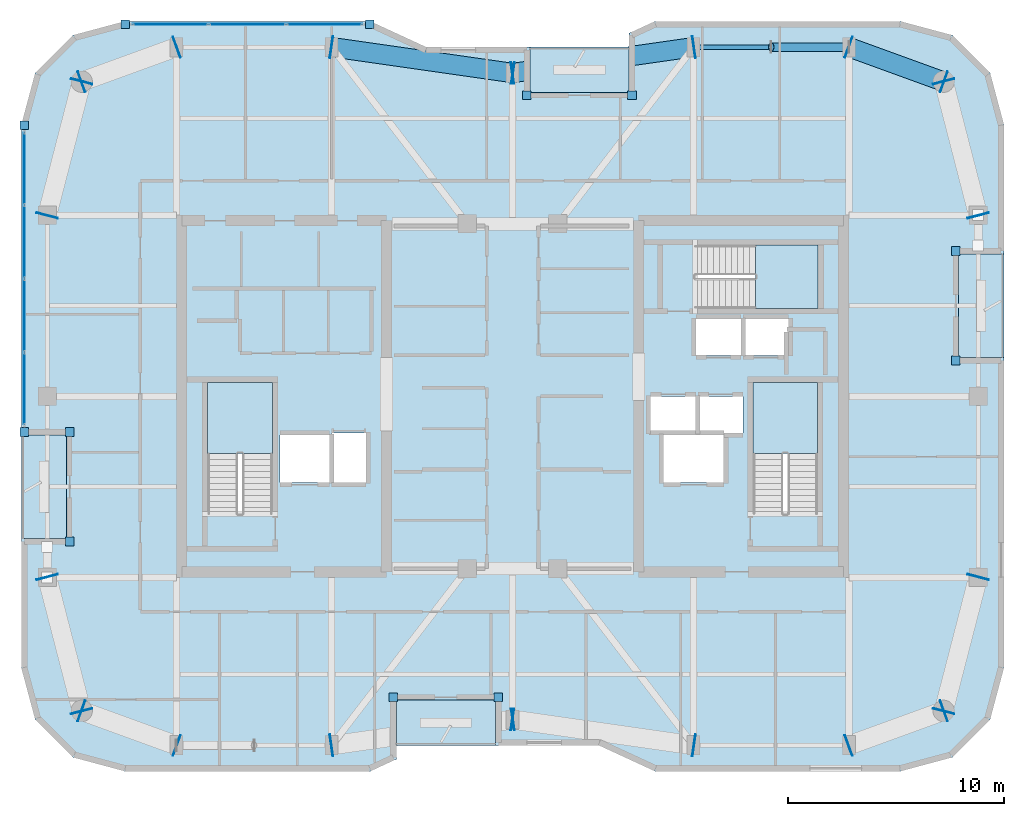
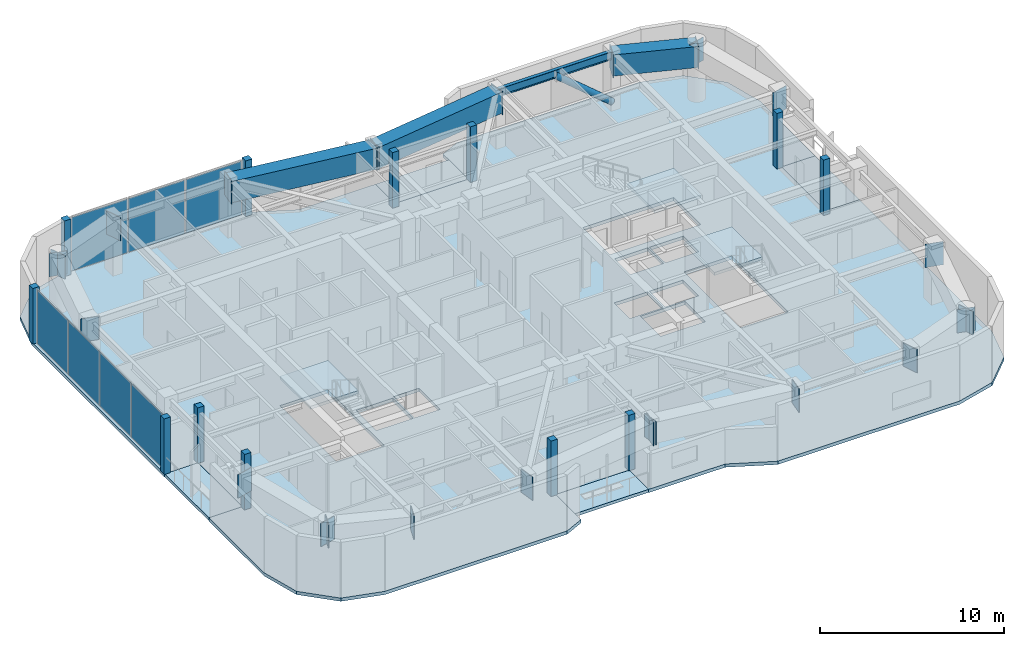
# One storey, part 7 of 16: 43 plates, 8 slabs, 4 beams, 1 member, 5 elements without a shape of their own.
"""IFC4 building model written with IfcOpenShell, lengths in metres."""

from ifc_helpers import new_model, si_unit, direction, frame, origin, origin_2d, place, context, subcontext, project, spatial, polyline, rectangle, hollow_rectangle, hollow_circle, i_section, outline, extrude, material, layer, layer_set, material_profile, profile_set, type_object, element, aggregate, save


model = new_model("IFC4")

# Units and contexts
model_context = context("Model", 3, precision=1e-05, world=origin(), true_north=direction((0.0, 1.0)))
body_context = subcontext(model_context, "Body", "Model", "MODEL_VIEW")
ifc_project = project(units=[si_unit("LENGTHUNIT", "METRE"), si_unit("AREAUNIT", "SQUARE_METRE"), si_unit("VOLUMEUNIT", "CUBIC_METRE"), si_unit("PLANEANGLEUNIT", "RADIAN"), si_unit("MASSUNIT", "GRAM", prefix="KILO")], contexts=[model_context])

# Site, building, storey
site_placement = place(None, origin())
site = spatial("IfcSite", under=ifc_project, at=site_placement, CompositionType="ELEMENT")
building_placement = place(site_placement, origin())
building = spatial("IfcBuilding", under=site, at=building_placement, Name="Kiyonajd Concourse Tower", CompositionType="ELEMENT")
storey_placement = place(building_placement, frame((0.0, 0.0, 310.199951171875)))
storey = spatial("IfcBuildingStorey", under=building, at=storey_placement, Name="L78", CompositionType="ELEMENT", Elevation=310.199951171875)

# Beams
ifc_material_1 = material(Name="Steel ASTM A992 Grade 50", Category="steel")
ifc_material_profile_1 = material_profile(ifc_material_1, i_section(OverallWidth=0.2109375, OverallDepth=0.5390625, WebThickness=0.01171875, FlangeThickness=0.018798828125, at=origin_2d()), Name="W530X109")
ifc_profile_set_1 = profile_set([ifc_material_profile_1], Name="Steel ASTM A992 Grade 50")
beam_type_1 = type_object("IfcBeamType", Name="BM-SPAN-530B", PredefinedType="SPANDREL", material=ifc_profile_set_1)
beam_1_placement = place(storey_placement, frame((63.60009765625, 52.199951171875, 3.41064453125), z_axis=(-1.0, 0.0, 0.0), x_axis=(0.0, -1.0, 0.0)))
element("IfcBeam", 1, at=beam_1_placement, inside=storey, type_object=beam_type_1, Name="L78 Perimeter Bundled Tube Spandrel", PredefinedType="SPANDREL", context=body_context, shape_type="SweptSolid", body=[
    extrude(i_section(OverallWidth=0.2109375, OverallDepth=0.5390625, WebThickness=0.01171875, FlangeThickness=0.018798828125, at=origin_2d()), origin(), (0.0, 0.0, 1.0), 7.2001953125),
])
ifc_material_2 = material(Name="Steel ASTM A572 Grade 50", Category="steel")
ifc_material_profile_2 = material_profile(ifc_material_2, hollow_rectangle(XDim=0.89990234375, YDim=1.39990234375, WallThickness=0.070068359375, at=origin_2d()), Name="BOX-1400x900x70")
ifc_profile_set_2 = profile_set([ifc_material_profile_2], Name="Steel ASTM A572 Grade 50")
beam_type_2 = type_object("IfcBeamType", Name="BM-XFER-1400", PredefinedType="BEAM", material=ifc_profile_set_2)
beam_2_placement = place(storey_placement, frame((68.0, 50.60009765625, 2.97998046875), z_axis=(-0.939801036019, 0.341722127901, 0.0), x_axis=(-0.341722127901, -0.939801036019, 0.0)))
element("IfcBeam", 2, at=beam_2_placement, inside=storey, type_object=beam_type_2, Name="L78 Perimeter Bundled Tube Spandrel", PredefinedType="BEAM", context=body_context, shape_type="SweptSolid", body=[
    extrude(hollow_rectangle(XDim=0.89990234375, YDim=1.39990234375, WallThickness=0.070068359375, at=origin_2d()), origin(), (0.0, 0.0, 1.0), 4.681640625),
])
for number, where, z_axis, x_axis, name in (
    (3, (56.39990234375, 52.199951171875, 2.97998046875), (-0.989950069105, -0.141417328072, 0.0), (0.141417328072, -0.989950069105, 0.0), "L78 Perimeter Bundled Tube Spandrel"),
    (4, (48.0, 51.0, 2.97998046875), (-0.989950069105, 0.141417328072, 0.0), (-0.141417328072, -0.989950069105, 0.0), "L78 Perimeter Bundled Tube Spandrel"),
):
    element("IfcBeam", number, at=place(storey_placement, frame(where, z_axis=z_axis, x_axis=x_axis)), inside=storey, type_object=beam_type_2, Name=name, PredefinedType="BEAM", context=body_context, shape_type="SweptSolid", body=[
        extrude(hollow_rectangle(XDim=0.89990234375, YDim=1.39990234375, WallThickness=0.070068359375, at=origin_2d()), origin(), (0.0, 0.0, 1.0), 8.485107421875),
    ])

# Member
ifc_material_3 = material(Name="Steel ASTM A500 Grade C", Category="steel")
ifc_material_profile_3 = material_profile(ifc_material_3, hollow_circle(Radius=0.202880859375, WallThickness=0.01904296875, at=origin_2d()), Name="CHS-406x19")
ifc_profile_set_3 = profile_set([ifc_material_profile_3], Name="Steel ASTM A500 Grade C")
member_type = type_object("IfcMemberType", Name="MB-PB-HIGH", PredefinedType="BRACE", material=ifc_profile_set_3)
member_placement = place(storey_placement, frame((63.60009765625, 52.199951171875, 0.300048828125), z_axis=(-0.765082043761, 0.0, 0.643932811957), x_axis=(0.0, -1.0, 0.0)))
element("IfcMember", 5, at=member_placement, inside=storey, type_object=member_type, Name="L78 Upper Zone Hollow Tube Brace PBN", PredefinedType="BRACE", context=body_context, shape_type="SweptSolid", body=[
    extrude(hollow_circle(Radius=0.202880859375, WallThickness=0.01904296875, at=origin_2d()), origin(), (0.0, 0.0, 1.0), 4.70556640625),
])

# Plates
ifc_layer_1 = layer(ifc_material_2, 0.031982421875)
ifc_layer_set_1 = layer_set([ifc_layer_1], Name="Steel ASTM A572 Grade 50")
plate_type_1 = type_object("IfcPlateType", Name="PL-CAP-540", PredefinedType="USERDEFINED", material=ifc_layer_set_1)
for number, where, z_axis, x_axis, name in (
    (6, (26.397216796875, 27.610595703125, 2.2099609375), (0.0, 0.0, 1.0), (-0.249873048837, 0.968278606324, 0.0), "L78 Welded Box Girder End Cap"),
    (7, (28.002685546875, 21.389404296875, 2.2099609375), (0.0, 0.0, 1.0), (0.249873048837, -0.968278606324, 0.0), "L78 Welded Box Girder End Cap"),
    (8, (27.98974609375, 21.40380859375, 2.2099609375), (0.0, 0.0, 1.0), (-0.939811951086, 0.341692107891, 0.0), "L78 Welded Box Girder End Cap"),
    (9, (32.410400390625, 19.796142578125, 2.2099609375), (0.0, 0.0, 1.0), (0.939811951086, -0.341692107891, 0.0), "L78 Welded Box Girder End Cap"),
    (10, (39.589111328125, 19.79833984375, 2.2099609375), (0.0, 0.0, 1.0), (-0.989949746297, -0.141419587774, 0.0), "L78 Welded Box Girder End Cap"),
    (11, (48.010986328125, 21.001708984375, 2.2099609375), (0.0, 0.0, 1.0), (0.989949746297, 0.141419587774, 0.0), "L78 Welded Box Girder End Cap"),
    (12, (47.989013671875, 21.001708984375, 2.2099609375), (0.0, 0.0, 1.0), (-0.989949746297, 0.141419587774, 0.0), "L78 Welded Box Girder End Cap"),
    (13, (56.410888671875, 19.79833984375, 2.2099609375), (0.0, 0.0, 1.0), (0.989949746297, -0.141419587774, 0.0), "L78 Welded Box Girder End Cap"),
    (14, (63.589599609375, 19.796142578125, 2.2099609375), (0.0, 0.0, 1.0), (-0.939811951086, -0.341692107891, 0.0), "L78 Welded Box Girder End Cap"),
    (15, (68.01025390625, 21.40380859375, 2.2099609375), (0.0, 0.0, 1.0), (0.939811951086, 0.341692107891, 0.0), "L78 Welded Box Girder End Cap"),
    (16, (67.997314453125, 21.389404296875, 2.2099609375), (0.0, 0.0, 1.0), (-0.249873048837, -0.968278606324, 0.0), "L78 Welded Box Girder End Cap"),
    (17, (69.602783203125, 27.610595703125, 2.2099609375), (0.0, 0.0, 1.0), (0.249873048837, 0.968278606324, 0.0), "L78 Welded Box Girder End Cap"),
    (18, (69.602783203125, 44.389404296875, 2.2099609375), (0.0, 0.0, 1.0), (0.249873048837, -0.968278606324, 0.0), "L78 Welded Box Girder End Cap"),
    (19, (67.997314453125, 50.610595703125, 2.2099609375), (0.0, 0.0, 1.0), (-0.249873048837, 0.968278606324, 0.0), "L78 Welded Box Girder End Cap"),
    (20, (68.01025390625, 50.59619140625, 2.2099609375), (0.0, 0.0, 1.0), (0.939811951086, -0.341692107891, 0.0), "L78 Welded Box Girder End Cap"),
    (21, (63.589599609375, 52.203857421875, 2.2099609375), (0.0, 0.0, 1.0), (-0.939811951086, 0.341692107891, 0.0), "L78 Welded Box Girder End Cap"),
    (22, (56.410888671875, 52.20166015625, 2.2099609375), (0.0, 0.0, 1.0), (0.989949746297, 0.141419587774, 0.0), "L78 Welded Box Girder End Cap"),
    (23, (47.989013671875, 50.998291015625, 2.2099609375), (0.0, 0.0, 1.0), (-0.989949746297, -0.141419587774, 0.0), "L78 Welded Box Girder End Cap"),
    (24, (48.010986328125, 50.998291015625, 2.2099609375), (0.0, 0.0, 1.0), (0.989949746297, -0.141419587774, 0.0), "L78 Welded Box Girder End Cap"),
    (25, (39.589111328125, 52.20166015625, 2.2099609375), (0.0, 0.0, 1.0), (-0.989949746297, 0.141419587774, 0.0), "L78 Welded Box Girder End Cap"),
    (26, (32.410400390625, 52.203857421875, 2.2099609375), (0.0, 0.0, 1.0), (0.939811951086, 0.341692107891, 0.0), "L78 Welded Box Girder End Cap"),
    (27, (27.98974609375, 50.59619140625, 2.2099609375), (0.0, 0.0, 1.0), (-0.939811951086, -0.341692107891, 0.0), "L78 Welded Box Girder End Cap"),
    (28, (28.002685546875, 50.610595703125, 2.2099609375), (0.0, 0.0, 1.0), (0.249873048837, 0.968278606324, 0.0), "L78 Welded Box Girder End Cap"),
    (29, (26.397216796875, 44.389404296875, 2.2099609375), (0.0, 0.0, 1.0), (-0.249873048837, -0.968278606324, 0.0), "L78 Welded Box Girder End Cap"),
):
    element("IfcPlate", number, at=place(storey_placement, frame(where, z_axis=z_axis, x_axis=x_axis)), inside=storey, type_object=plate_type_1, Name=name, ObjectType="CAP PLATE", PredefinedType="USERDEFINED", context=body_context, shape_type="SweptSolid", body=[
        extrude(rectangle(XDim=0.035888671875, YDim=1.02001953125, at=origin_2d()), origin(), (0.0, 0.0, 1.0), 1.5400390625),
    ])

# Curtain wall, plates
ifc_material_4 = material(Name="Thermally Broken Anodised Aluminium", Category="aluminium")
ifc_layer_2 = layer(ifc_material_4, 0.179931640625)
ifc_layer_set_2 = layer_set([ifc_layer_2], Name="Thermally Broken Anodised Aluminium")
curtain_wall_type = type_object("IfcCurtainWallType", Name="CW-SYS-04", PredefinedType="NOTDEFINED", material=ifc_layer_set_2)
curtain_wall_1_placement = place(storey_placement, origin())
curtain_wall_1 = element("IfcCurtainWall", 30, at=curtain_wall_1_placement, inside=storey, type_object=curtain_wall_type, Name="L78 Unitised Curtain Wall CW4", PredefinedType="NOTDEFINED")
ifc_material_5 = material(Name="Double Low-E Insulated Glass", Category="glass")
ifc_layer_3 = layer(ifc_material_5, 0.033935546875)
ifc_layer_set_3 = layer_set([ifc_layer_3], Name="Double Low-E Insulated Glass")
plate_type_2 = type_object("IfcPlateType", Name="PL-CW-VIS34", PredefinedType="CURTAIN_PANEL", material=ifc_layer_set_3)
plate_1_placement = place(storey_placement, frame((25.340087890625, 36.35400390625, 0.06494140625), z_axis=(0.0, 0.0, 1.0), x_axis=(0.0, 1.0, 0.0)))
plate_1 = element("IfcPlate", 31, at=plate_1_placement, type_object=plate_type_2, Name="CW4 panel 1.1", PredefinedType="CURTAIN_PANEL", context=body_context, shape_type="SweptSolid", body=[
    extrude(rectangle(XDim=3.31787109375, YDim=0.033935546875, at=origin_2d()), origin(), (0.0, 0.0, 1.0), 3.550048828125),
])
plate_2_placement = place(storey_placement, frame((25.340087890625, 39.753173828125, 0.06494140625), z_axis=(0.0, 0.0, 1.0), x_axis=(0.0, 1.0, 0.0)))
plate_2 = element("IfcPlate", 32, at=plate_2_placement, type_object=plate_type_2, Name="CW4 panel 2.1", PredefinedType="CURTAIN_PANEL", context=body_context, shape_type="SweptSolid", body=[
    extrude(rectangle(XDim=3.350341796875, YDim=0.033935546875, at=origin_2d()), origin(), (0.0, 0.0, 1.0), 3.550048828125),
])
plate_3_placement = place(storey_placement, frame((25.340087890625, 43.16845703125, 0.06494140625), z_axis=(0.0, 0.0, 1.0), x_axis=(0.0, 1.0, 0.0)))
plate_3 = element("IfcPlate", 33, at=plate_3_placement, type_object=plate_type_2, Name="CW4 panel 3.1", PredefinedType="CURTAIN_PANEL", context=body_context, shape_type="SweptSolid", body=[
    extrude(rectangle(XDim=3.350341796875, YDim=0.033935546875, at=origin_2d()), origin(), (0.0, 0.0, 1.0), 3.550048828125),
])
plate_4_placement = place(storey_placement, frame((25.340087890625, 46.567626953125, 0.06494140625), z_axis=(0.0, 0.0, 1.0), x_axis=(0.0, 1.0, 0.0)))
plate_4 = element("IfcPlate", 34, at=plate_4_placement, type_object=plate_type_2, Name="CW4 panel 4.1", PredefinedType="CURTAIN_PANEL", context=body_context, shape_type="SweptSolid", body=[
    extrude(rectangle(XDim=3.31787109375, YDim=0.033935546875, at=origin_2d()), origin(), (0.0, 0.0, 1.0), 3.550048828125),
])
aggregate(curtain_wall_1, [plate_1, plate_2, plate_3, plate_4])

curtain_wall_2_placement = place(storey_placement, origin())
curtain_wall_2 = element("IfcCurtainWall", 35, at=curtain_wall_2_placement, inside=storey, type_object=curtain_wall_type, Name="L78 Unitised Curtain Wall CW4", PredefinedType="NOTDEFINED")
plate_5_placement = place(storey_placement, frame((32.119873046875, 53.260009765625, 0.06494140625), z_axis=(0.0, 0.0, 1.0), x_axis=(1.0, 0.0, 0.0)))
plate_5 = element("IfcPlate", 36, at=plate_5_placement, type_object=plate_type_2, Name="CW4 panel 1.1", PredefinedType="CURTAIN_PANEL", context=body_context, shape_type="SweptSolid", body=[
    extrude(rectangle(XDim=3.492919921875, YDim=0.033935546875, at=origin_2d()), origin(), (0.0, 0.0, 1.0), 3.550048828125),
])
plate_6_placement = place(storey_placement, frame((35.69384765625, 53.260009765625, 0.06494140625), z_axis=(0.0, 0.0, 1.0), x_axis=(1.0, 0.0, 0.0)))
plate_6 = element("IfcPlate", 37, at=plate_6_placement, type_object=plate_type_2, Name="CW4 panel 2.1", PredefinedType="CURTAIN_PANEL", context=body_context, shape_type="SweptSolid", body=[
    extrude(rectangle(XDim=3.525390625, YDim=0.033935546875, at=origin_2d()), origin(), (0.0, 0.0, 1.0), 3.550048828125),
])
plate_7_placement = place(storey_placement, frame((39.267822265625, 53.260009765625, 0.06494140625), z_axis=(0.0, 0.0, 1.0), x_axis=(1.0, 0.0, 0.0)))
plate_7 = element("IfcPlate", 38, at=plate_7_placement, type_object=plate_type_2, Name="CW4 panel 3.1", PredefinedType="CURTAIN_PANEL", context=body_context, shape_type="SweptSolid", body=[
    extrude(rectangle(XDim=3.492919921875, YDim=0.033935546875, at=origin_2d()), origin(), (0.0, 0.0, 1.0), 3.550048828125),
])
aggregate(curtain_wall_2, [plate_5, plate_6, plate_7])

# Plates
ifc_layer_4 = layer(ifc_material_4, 0.39990234375)
ifc_layer_set_4 = layer_set([ifc_layer_4], Name="Thermally Broken Anodised Aluminium")
plate_type_3 = type_object("IfcPlateType", Name="PL-JMB-400", PredefinedType="USERDEFINED", material=ifc_layer_set_4)
for number, where, z_axis, x_axis, name in (
    (39, (27.43994140625, 29.260009765625, 0.0), (0.0, 0.0, 1.0), (1.0, 0.0, 0.0), "L78 Facade Jamb Closure Plate 01"),
    (40, (27.43994140625, 34.340087890625, 0.0), (0.0, 0.0, 1.0), (1.0, 0.0, 0.0), "L78 Facade Jamb Closure Plate 02"),
    (41, (25.340087890625, 34.340087890625, 0.0), (0.0, 0.0, 1.0), (1.0, 0.0, 0.0), "L78 Facade Jamb Closure Plate 03"),
    (42, (25.340087890625, 48.58154296875, 0.0), (0.0, 0.0, 1.0), (1.0, 0.0, 0.0), "L78 Facade Jamb Closure Plate 04"),
    (43, (30.018310546875, 53.260009765625, 0.0), (0.0, 0.0, 1.0), (1.0, 0.0, 0.0), "L78 Facade Jamb Closure Plate 05"),
    (44, (41.369384765625, 53.260009765625, 0.0), (0.0, 0.0, 1.0), (1.0, 0.0, 0.0), "L78 Facade Jamb Closure Plate 06"),
    (45, (48.659912109375, 49.9599609375, 0.0), (0.0, 0.0, 1.0), (1.0, 0.0, 0.0), "L78 Facade Jamb Closure Plate 07"),
    (46, (53.5400390625, 49.9599609375, 0.0), (0.0, 0.0, 1.0), (1.0, 0.0, 0.0), "L78 Facade Jamb Closure Plate 08"),
    (47, (68.56005859375, 42.739990234375, 0.0), (0.0, 0.0, 1.0), (1.0, 0.0, 0.0), "L78 Facade Jamb Closure Plate 09"),
    (48, (68.56005859375, 37.659912109375, 0.0), (0.0, 0.0, 1.0), (1.0, 0.0, 0.0), "L78 Facade Jamb Closure Plate 10"),
    (49, (47.340087890625, 22.0400390625, 0.0), (0.0, 0.0, 1.0), (1.0, 0.0, 0.0), "L78 Facade Jamb Closure Plate 11"),
    (50, (42.4599609375, 22.0400390625, 0.0), (0.0, 0.0, 1.0), (1.0, 0.0, 0.0), "L78 Facade Jamb Closure Plate 12"),
):
    element("IfcPlate", number, at=place(storey_placement, frame(where, z_axis=z_axis, x_axis=x_axis)), inside=storey, type_object=plate_type_3, Name=name, ObjectType="JAMB PLATE", PredefinedType="USERDEFINED", context=body_context, shape_type="SweptSolid", body=[
        extrude(rectangle(XDim=0.39990234375, YDim=0.39990234375, at=origin_2d()), origin(), (0.0, 0.0, 1.0), 3.679931640625),
    ])

# Stair, slab
ifc_material_6 = material(Name="Concrete C40/50", Category="concrete")
stair_type = type_object("IfcStairType", Name="ST-DLG-22R", PredefinedType="HALF_TURN_STAIR", material=ifc_material_6)
stair_1_placement = place(storey_placement, origin())
stair_1 = element("IfcStair", 51, at=stair_1_placement, inside=storey, type_object=stair_type, Name="L78 Protected Exit Stair ST1", PredefinedType="HALF_TURN_STAIR")
ifc_layer_5 = layer(ifc_material_6, 0.199951171875)
ifc_layer_set_5 = layer_set([ifc_layer_5], Name="Concrete C40/50")
slab_type_1 = type_object("IfcSlabType", Name="SL-LND-200", PredefinedType="LANDING", material=ifc_layer_set_5)
slab_1_placement = place(storey_placement, frame((0.0, 0.0, 1.75)))
slab_1 = element("IfcSlab", 52, at=slab_1_placement, type_object=slab_type_1, Name="ST1 landing 1", PredefinedType="LANDING", context=body_context, shape_type="SweptSolid", body=[
    extrude(outline(polyline([(36.85009765625, 33.35009765625), (36.85009765625, 36.64990234375), (33.85009765625, 36.64990234375), (33.85009765625, 33.35009765625), (36.85009765625, 33.35009765625)])), origin(), (0.0, 0.0, 1.0), 0.199951171875),
])
aggregate(stair_1, [slab_1])

stair_2_placement = place(storey_placement, origin())
stair_2 = element("IfcStair", 53, at=stair_2_placement, inside=storey, type_object=stair_type, Name="L78 Protected Exit Stair ST2", PredefinedType="HALF_TURN_STAIR")
slab_2_placement = place(storey_placement, frame((0.0, 0.0, 1.75)))
slab_2 = element("IfcSlab", 54, at=slab_2_placement, type_object=slab_type_1, Name="ST2 landing 1", PredefinedType="LANDING", context=body_context, shape_type="SweptSolid", body=[
    extrude(outline(polyline([(62.14990234375, 33.35009765625), (62.14990234375, 36.64990234375), (59.14990234375, 36.64990234375), (59.14990234375, 33.35009765625), (62.14990234375, 33.35009765625)])), origin(), (0.0, 0.0, 1.0), 0.199951171875),
])
aggregate(stair_2, [slab_2])

stair_3_placement = place(storey_placement, origin())
stair_3 = element("IfcStair", 55, at=stair_3_placement, inside=storey, type_object=stair_type, Name="L78 Protected Exit Stair ST3", PredefinedType="HALF_TURN_STAIR")
slab_3_placement = place(storey_placement, frame((0.0, 0.0, 1.75)))
slab_3 = element("IfcSlab", 56, at=slab_3_placement, type_object=slab_type_1, Name="ST3 landing 1", PredefinedType="LANDING", context=body_context, shape_type="SweptSolid", body=[
    extrude(outline(polyline([(59.280029296875, 40.080078125), (62.179931640625, 40.080078125), (62.179931640625, 43.02001953125), (59.280029296875, 43.02001953125), (59.280029296875, 40.080078125)])), origin(), (0.0, 0.0, 1.0), 0.199951171875),
])
aggregate(stair_3, [slab_3])

# Slabs
ifc_material_7 = material(Name="Precast concrete C50/60", Category="concrete")
ifc_layer_6 = layer(ifc_material_7, 0.199951171875)
ifc_layer_set_6 = layer_set([ifc_layer_6], Name="Precast concrete C50/60")
slab_type_2 = type_object("IfcSlabType", Name="SL-LOG-200", PredefinedType="FLOOR", material=ifc_layer_set_6)
slab_4_placement = place(storey_placement, frame((0.0, 0.0, -0.199951171875)))
element("IfcSlab", 57, at=slab_4_placement, inside=storey, type_object=slab_type_2, Name="L78 Recessed Engawa Loggia Terrace Slab LOG-S", PredefinedType="FLOOR", context=body_context, shape_type="SweptSolid", body=[
    extrude(outline(polyline([(42.60009765625, 19.800048828125), (47.199951171875, 19.800048828125), (47.199951171875, 21.89990234375), (42.60009765625, 21.89990234375), (42.60009765625, 19.800048828125)])), origin(), (0.0, 0.0, 1.0), 0.199951171875),
])
slab_5_placement = place(storey_placement, frame((0.0, 0.0, -0.199951171875)))
element("IfcSlab", 58, at=slab_5_placement, inside=storey, type_object=slab_type_2, Name="L78 Recessed Engawa Loggia Terrace Slab LOG-N", PredefinedType="FLOOR", context=body_context, shape_type="SweptSolid", body=[
    extrude(outline(polyline([(48.800048828125, 50.10009765625), (53.39990234375, 50.10009765625), (53.39990234375, 52.199951171875), (48.800048828125, 52.199951171875), (48.800048828125, 50.10009765625)])), origin(), (0.0, 0.0, 1.0), 0.199951171875),
])
slab_6_placement = place(storey_placement, frame((0.0, 0.0, -0.199951171875)))
element("IfcSlab", 59, at=slab_6_placement, inside=storey, type_object=slab_type_2, Name="L78 Recessed Engawa Loggia Terrace Slab LOG-W", PredefinedType="FLOOR", context=body_context, shape_type="SweptSolid", body=[
    extrude(outline(polyline([(25.199951171875, 29.39990234375), (27.300048828125, 29.39990234375), (27.300048828125, 34.199951171875), (25.199951171875, 34.199951171875), (25.199951171875, 29.39990234375)])), origin(), (0.0, 0.0, 1.0), 0.199951171875),
])
slab_7_placement = place(storey_placement, frame((0.0, 0.0, -0.199951171875)))
element("IfcSlab", 60, at=slab_7_placement, inside=storey, type_object=slab_type_2, Name="L78 Recessed Engawa Loggia Terrace Slab LOG-E", PredefinedType="FLOOR", context=body_context, shape_type="SweptSolid", body=[
    extrude(outline(polyline([(68.699951171875, 37.800048828125), (70.800048828125, 37.800048828125), (70.800048828125, 42.60009765625), (68.699951171875, 42.60009765625), (68.699951171875, 37.800048828125)])), origin(), (0.0, 0.0, 1.0), 0.199951171875),
])
ifc_layer_7 = layer(ifc_material_6, 0.219970703125)
ifc_layer_set_7 = layer_set([ifc_layer_7], Name="Concrete C40/50")
slab_type_3 = type_object("IfcSlabType", Name="SL-TWR-220", PredefinedType="FLOOR", material=ifc_layer_set_7)
slab_8_placement = place(storey_placement, frame((0.0, 0.0, -0.219970703125)))
element("IfcSlab", 61, at=slab_8_placement, inside=storey, type_object=slab_type_3, Name="L78 Tower Conditioned Floor Slab", PredefinedType="FLOOR", context=body_context, shape_type="SweptSolid", body=[
    extrude(outline(polyline([(25.843017578125, 21.0), (25.199951171875, 23.39990234375), (25.199951171875, 29.39990234375), (27.300048828125, 29.39990234375), (27.300048828125, 34.199951171875), (25.199951171875, 34.199951171875), (25.199951171875, 48.60009765625), (25.843017578125, 51.0), (27.60009765625, 52.757080078125), (30.0, 53.39990234375), (41.39990234375, 53.39990234375), (44.0, 52.199951171875), (48.800048828125, 52.199951171875), (48.800048828125, 50.10009765625), (53.39990234375, 50.10009765625), (53.39990234375, 52.845947265625), (54.60009765625, 53.39990234375), (66.0, 53.39990234375), (68.39990234375, 52.757080078125), (70.156982421875, 51.0), (70.800048828125, 48.60009765625), (70.800048828125, 42.60009765625), (68.699951171875, 42.60009765625), (68.699951171875, 37.800048828125), (70.800048828125, 37.800048828125), (70.800048828125, 23.39990234375), (70.156982421875, 21.0), (68.39990234375, 19.242919921875), (66.0, 18.60009765625), (54.60009765625, 18.60009765625), (52.0, 19.800048828125), (47.199951171875, 19.800048828125), (47.199951171875, 21.89990234375), (42.60009765625, 21.89990234375), (42.60009765625, 19.154052734375), (41.39990234375, 18.60009765625), (30.0, 18.60009765625), (27.60009765625, 19.242919921875), (25.843017578125, 21.0)]), holes=[polyline([(39.5, 32.0), (37.199951171875, 32.0), (37.199951171875, 34.199951171875), (39.5, 34.199951171875), (39.5, 32.0)]), polyline([(57.800048828125, 32.0), (55.0, 32.0), (55.0, 34.199951171875), (57.800048828125, 34.199951171875), (57.800048828125, 32.0)]), polyline([(41.199951171875, 32.0), (39.60009765625, 32.0), (39.60009765625, 34.300048828125), (41.199951171875, 34.300048828125), (41.199951171875, 32.0)]), polyline([(33.85009765625, 30.550048828125), (33.85009765625, 36.64990234375), (36.85009765625, 36.64990234375), (36.85009765625, 30.550048828125), (33.85009765625, 30.550048828125)]), polyline([(59.14990234375, 30.550048828125), (59.14990234375, 36.64990234375), (62.14990234375, 36.64990234375), (62.14990234375, 30.550048828125), (59.14990234375, 30.550048828125)]), polyline([(56.5, 34.300048828125), (54.39990234375, 34.300048828125), (54.39990234375, 36.0), (56.5, 36.0), (56.5, 34.300048828125)]), polyline([(58.699951171875, 34.300048828125), (56.60009765625, 34.300048828125), (56.60009765625, 36.0), (58.699951171875, 36.0), (58.699951171875, 34.300048828125)]), polyline([(58.60009765625, 37.89990234375), (56.5, 37.89990234375), (56.5, 39.60009765625), (58.60009765625, 39.60009765625), (58.60009765625, 37.89990234375)]), polyline([(58.699951171875, 37.89990234375), (58.699951171875, 39.60009765625), (60.800048828125, 39.60009765625), (60.800048828125, 37.89990234375), (58.699951171875, 37.89990234375)]), polyline([(56.47998046875, 43.02001953125), (62.179931640625, 43.02001953125), (62.179931640625, 40.080078125), (56.47998046875, 40.080078125), (56.47998046875, 43.02001953125)])]), origin(), (0.0, 0.0, 1.0), 0.219970703125),
])

save(model, "model.ifc")
